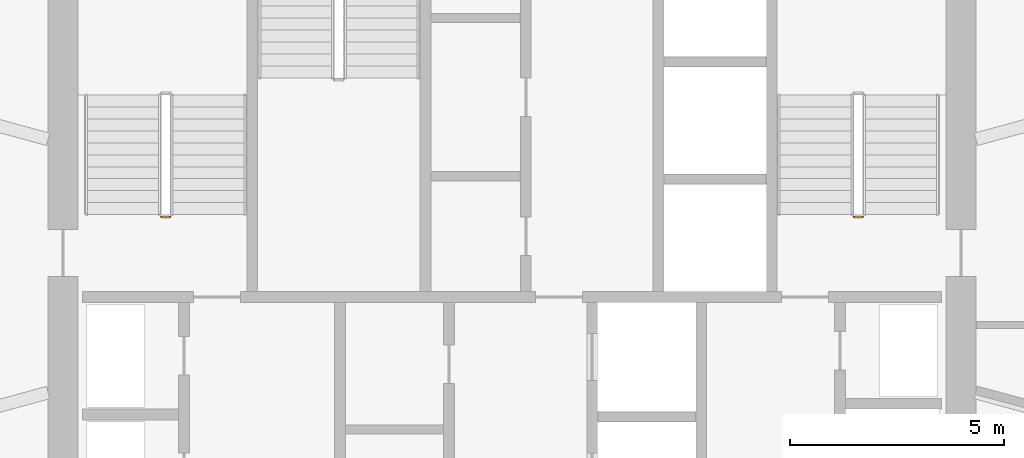
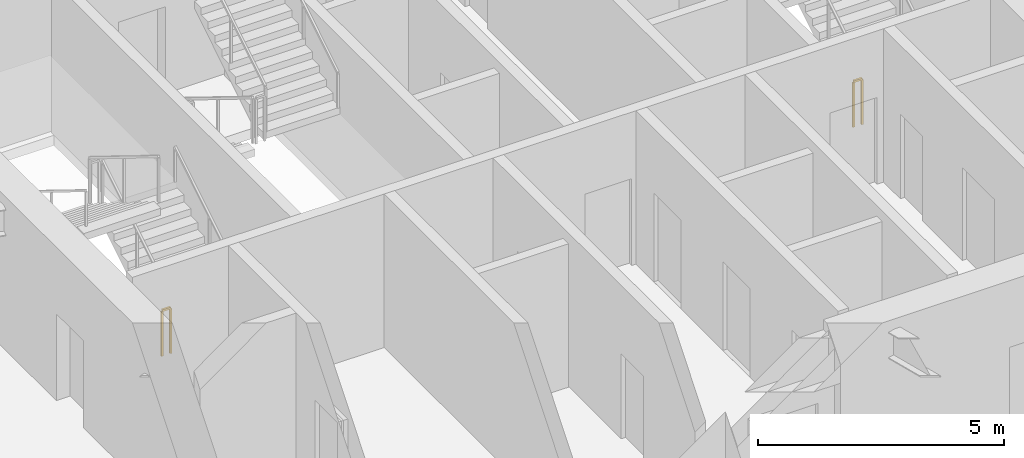
# One storey, part 26 of 28: 2 railings.
"""IFC4 building model written with IfcOpenShell, lengths in metres."""

from ifc_helpers import new_model, si_unit, direction, frame, origin, origin_2d, place, context, subcontext, project, spatial, rectangle, extrude, material, type_object, element, save


model = new_model("IFC4")

# Units and contexts
model_context = context("Model", 3, precision=1e-05, world=origin(), true_north=direction((0.0, 1.0)))
body_context = subcontext(model_context, "Body", "Model", "MODEL_VIEW")
ifc_project = project(units=[si_unit("LENGTHUNIT", "METRE"), si_unit("AREAUNIT", "SQUARE_METRE"), si_unit("VOLUMEUNIT", "CUBIC_METRE"), si_unit("PLANEANGLEUNIT", "RADIAN"), si_unit("MASSUNIT", "GRAM", prefix="KILO")], contexts=[model_context])

# Site, building, storey
site_placement = place(None, origin())
site = spatial("IfcSite", under=ifc_project, at=site_placement, CompositionType="ELEMENT")
building_placement = place(site_placement, origin())
building = spatial("IfcBuilding", under=site, at=building_placement, Name="Zuhravey Tower", CompositionType="ELEMENT")
storey_placement = place(building_placement, frame((0.0, 0.0, 199.800048828125)))
storey = spatial("IfcBuildingStorey", under=building, at=storey_placement, Name="L50", CompositionType="ELEMENT", Elevation=199.800048828125)

# Railings
ifc_material = material(Name="Painted tubular steel", Category="steel")
railing_type = type_object("IfcRailingType", Name="Stair Well Guardrail 1150", PredefinedType="GUARDRAIL", material=ifc_material)
for number, where, name in (
    (1, (28.0, 33.14990234375, 0.0), "L50 ST1 stair guard 4"),
    (2, (44.199951171875, 33.14990234375, 0.0), "L50 ST2 stair guard 4"),
):
    element("IfcRailing", number, at=place(storey_placement, frame(where)), inside=storey, type_object=railing_type, Name=name, PredefinedType="GUARDRAIL", context=body_context, shape_type="SweptSolid", body=[
        extrude(rectangle(XDim=0.048095703125, YDim=0.048095703125, at=origin_2d()), frame((-0.001953125, 0.0, 1.1259765625), z_axis=(-1.0, 0.0, 0.0), x_axis=(0.0, -1.0, 0.0)), (0.0, 0.0, 1.0), 0.196044921875),
        extrude(rectangle(XDim=0.0419921875, YDim=0.0419921875, at=origin_2d()), origin(), (0.0, 0.0, 1.0), 1.099853515625),
        extrude(rectangle(XDim=0.0419921875, YDim=0.0419921875, at=origin_2d()), frame((-0.199951171875, 0.0, 0.0)), (0.0, 0.0, 1.0), 1.099853515625),
    ])

save(model, "model.ifc")
